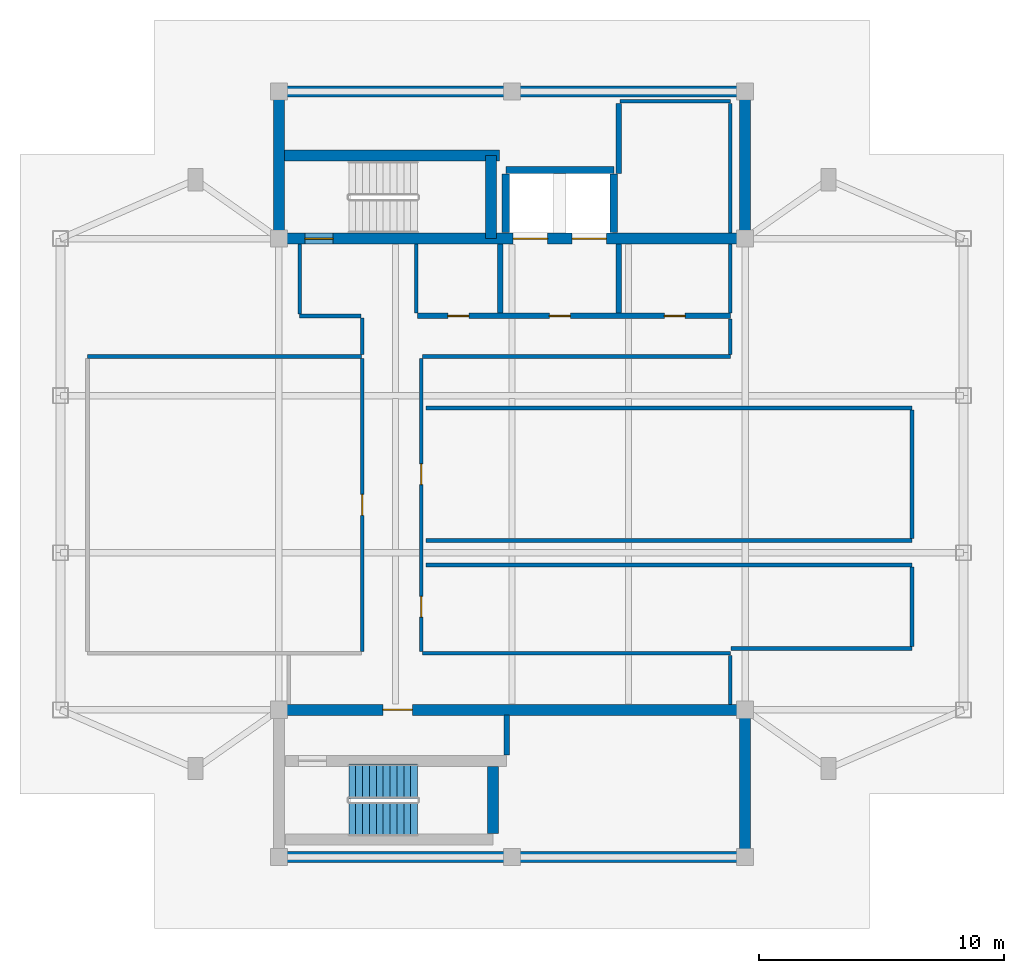
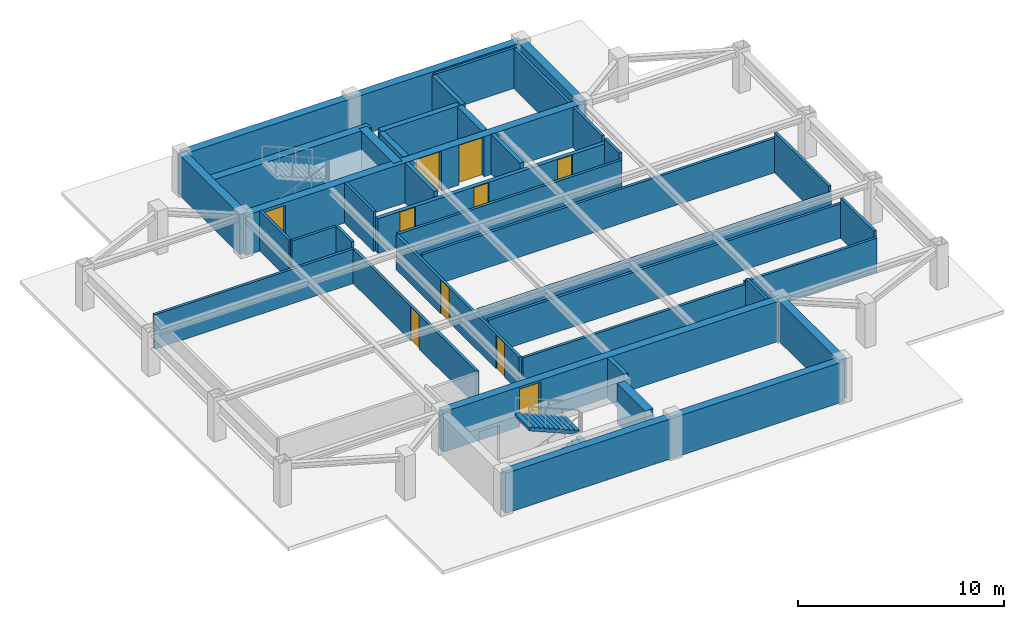
# One storey, part 2 of 4: 38 walls, 10 doors, 2 stair flights, 10 openings, 1 element without a shape of its own.
"""IFC4 building model written with IfcOpenShell, lengths in metres."""

from ifc_helpers import new_model, si_unit, direction, frame, frame_2d, origin, place, context, subcontext, project, spatial, polyline, rectangle, outline, extrude, material, layer, layer_set, type_object, element, fill, aggregate, save


model = new_model("IFC4")

# Units and contexts
model_context = context("Model", 3, precision=1e-05, world=origin(), true_north=direction((0.0, 1.0)))
body_context = subcontext(model_context, "Body", "Model", "MODEL_VIEW")
ifc_project = project(units=[si_unit("LENGTHUNIT", "METRE"), si_unit("AREAUNIT", "SQUARE_METRE"), si_unit("VOLUMEUNIT", "CUBIC_METRE"), si_unit("PLANEANGLEUNIT", "RADIAN"), si_unit("MASSUNIT", "GRAM", prefix="KILO")], contexts=[model_context])

# Site, building, storey
site_placement = place(None, origin())
site = spatial("IfcSite", under=ifc_project, at=site_placement, CompositionType="ELEMENT")
building_placement = place(site_placement, origin())
building = spatial("IfcBuilding", under=site, at=building_placement, Name="Mirazonda Arch Towers", CompositionType="ELEMENT")
storey_placement = place(building_placement, frame((0.0, 0.0, 271.300048828125)))
storey = spatial("IfcBuildingStorey", under=building, at=storey_placement, Name="L78", CompositionType="ELEMENT", Elevation=271.300048828125)

# Walls
ifc_material_1 = material(Name="Concrete C50/60", Category="concrete")
ifc_layer_1 = layer(ifc_material_1, 0.449951171875, Name="WALL-CORE-450")
ifc_layer_set_1 = layer_set([ifc_layer_1], Name="Concrete C50/60")
wall_type_1 = type_object("IfcWallType", Name="WALL-CORE-450", PredefinedType="SHEAR", material=ifc_layer_set_1)
wall_1_placement = place(storey_placement, frame((11.0, 43.60009765625, 0.0), z_axis=(0.0, 0.0, 1.0), x_axis=(1.0, 0.0, 0.0)))
element("IfcWall", 1, at=wall_1_placement, inside=storey, type_object=wall_type_1, Name="L78 T1N-N Core Shear Wall", PredefinedType="SHEAR", context=body_context, shape_type="SweptSolid", body=[
    extrude(rectangle(XDim=19.0, YDim=0.449951171875, at=frame_2d((9.5, 0.0))), origin(), (0.0, 0.0, 1.0), 2.3798828125),
])
for number, where, z_axis, x_axis, name in (
    (2, (11.0, 37.60009765625, 0.0), (0.0, 0.0, 1.0), (0.0, 1.0, 0.0), "L78 T1N-W Core Shear Wall"),
    (3, (30.0, 37.60009765625, 0.0), (0.0, 0.0, 1.0), (0.0, 1.0, 0.0), "L78 T1N-E Core Shear Wall"),
):
    element("IfcWall", number, at=place(storey_placement, frame(where, z_axis=z_axis, x_axis=x_axis)), inside=storey, type_object=wall_type_1, Name=name, PredefinedType="SHEAR", context=body_context, shape_type="SweptSolid", body=[
        extrude(rectangle(XDim=6.0, YDim=0.449951171875, at=frame_2d((3.0, 0.0))), origin(), (0.0, 0.0, 1.0), 2.3798828125),
    ])

# Wall, openings, doors
wall_2_placement = place(storey_placement, frame((11.0, 37.60009765625, 0.0), z_axis=(0.0, 0.0, 1.0), x_axis=(1.0, 0.0, 0.0)))
wall_2 = element("IfcWall", 4, at=wall_2_placement, inside=storey, type_object=wall_type_1, Name="L78 T1N-S Core Shear Wall", PredefinedType="SHEAR", context=body_context, shape_type="SweptSolid", body=[
    extrude(rectangle(XDim=19.0, YDim=0.449951171875, at=frame_2d((9.5, 0.0))), origin(), (0.0, 0.0, 1.0), 2.3798828125),
])
opening_1_placement = place(wall_2_placement, frame((1.06005859375, 0.0, 0.0)))
opening_1 = element("IfcOpeningElement", 5, at=opening_1_placement, cuts=wall_2, Name="Opening DR-135", PredefinedType="OPENING", context=body_context, shape_type="SweptSolid", body=[
    extrude(rectangle(XDim=1.14990234375, YDim=2.199951171875, at=frame_2d((0.574951171875, 1.10009765625))), frame((0.0, 0.23486328125, 0.0), z_axis=(0.0, -1.0, 0.0), x_axis=(1.0, 0.0, 0.0)), (0.0, 0.0, 1.0), 0.469970703125),
])
opening_2_placement = place(wall_2_placement, frame((9.550048828125, 0.0, 0.0)))
opening_2 = element("IfcOpeningElement", 6, at=opening_2_placement, cuts=wall_2, Name="Opening LD-112", PredefinedType="OPENING", context=body_context, shape_type="SweptSolid", body=[
    extrude(rectangle(XDim=1.39990234375, YDim=2.35009765625, at=frame_2d((0.699951171875, 1.175048828125))), frame((0.0, 0.23486328125, 0.0), z_axis=(0.0, -1.0, 0.0), x_axis=(1.0, 0.0, 0.0)), (0.0, 0.0, 1.0), 0.469970703125),
])
opening_3_placement = place(wall_2_placement, frame((11.949951171875, 0.0, 0.0)))
opening_3 = element("IfcOpeningElement", 7, at=opening_3_placement, cuts=wall_2, Name="Opening LD-112", PredefinedType="OPENING", context=body_context, shape_type="SweptSolid", body=[
    extrude(rectangle(XDim=1.39990234375, YDim=2.35009765625, at=frame_2d((0.699951171875, 1.175048828125))), frame((0.0, 0.23486328125, 0.0), z_axis=(0.0, -1.0, 0.0), x_axis=(1.0, 0.0, 0.0)), (0.0, 0.0, 1.0), 0.469970703125),
])
ifc_material_2 = material(Name="Architectural Brushed Steel S355", Category="steel")
door_type_1 = type_object("IfcDoorType", Name="DOOR-LIFT-FFL-1400", OperationType="NOTDEFINED", PredefinedType="DOOR", material=ifc_material_2)
door_1_placement = place(opening_2_placement, origin())
door_1 = element("IfcDoor", 8, at=door_1_placement, inside=storey, type_object=door_type_1, Name="L78 Lift Landing Sliding Door FFL-T1", OperationType="DOUBLE_DOOR_SLIDING", OverallHeight=2.35009765625, OverallWidth=1.39990234375, PredefinedType="DOOR", context=body_context, shape_type="SweptSolid", body=[
    extrude(rectangle(XDim=1.39990234375, YDim=2.35009765625, at=frame_2d((0.699951171875, 1.175048828125))), frame((0.0, 0.02490234375, 0.0), z_axis=(0.0, -1.0, 0.0), x_axis=(1.0, 0.0, 0.0)), (0.0, 0.0, 1.0), 0.050048828125),
])
fill(opening_2, door_1)
door_2_placement = place(opening_3_placement, origin())
door_2 = element("IfcDoor", 9, at=door_2_placement, inside=storey, type_object=door_type_1, Name="L78 Lift Landing Sliding Door SVL-T1", OperationType="DOUBLE_DOOR_SLIDING", OverallHeight=2.35009765625, OverallWidth=1.39990234375, PredefinedType="DOOR", context=body_context, shape_type="SweptSolid", body=[
    extrude(rectangle(XDim=1.39990234375, YDim=2.35009765625, at=frame_2d((0.699951171875, 1.175048828125))), frame((0.0, 0.02490234375, 0.0), z_axis=(0.0, -1.0, 0.0), x_axis=(1.0, 0.0, 0.0)), (0.0, 0.0, 1.0), 0.050048828125),
])
fill(opening_3, door_2)
door_type_2 = type_object("IfcDoorType", Name="DOOR-STAIR-FD90-1150", OperationType="NOTDEFINED", PredefinedType="DOOR", material=ifc_material_2)
door_3_placement = place(opening_1_placement, origin())
door_3 = element("IfcDoor", 10, at=door_3_placement, inside=storey, type_object=door_type_2, Name="L78 Protected Exit Stair North Door", OperationType="SINGLE_SWING_LEFT", OverallHeight=2.199951171875, OverallWidth=1.14990234375, PredefinedType="DOOR", context=body_context, shape_type="SweptSolid", body=[
    extrude(rectangle(XDim=1.14990234375, YDim=2.199951171875, at=frame_2d((0.574951171875, 1.10009765625))), frame((0.0, 0.02490234375, 0.0), z_axis=(0.0, -1.0, 0.0), x_axis=(1.0, 0.0, 0.0)), (0.0, 0.0, 1.0), 0.050048828125),
])
fill(opening_1, door_3)

# Walls
wall_3_placement = place(storey_placement, frame((11.0, 40.992919921875, 0.0), z_axis=(0.0, 0.0, 1.0), x_axis=(1.0, 0.0, 0.0)))
element("IfcWall", 11, at=wall_3_placement, inside=storey, type_object=wall_type_1, Name="L78 T1N-STN Core Shear Wall", PredefinedType="SHEAR", context=body_context, shape_type="SweptSolid", body=[
    extrude(rectangle(XDim=9.0, YDim=0.449951171875, at=frame_2d((4.5, 0.0))), origin(), (0.0, 0.0, 1.0), 2.3798828125),
])
wall_4_placement = place(storey_placement, frame((19.64990234375, 37.60009765625, 0.0), z_axis=(0.0, 0.0, 1.0), x_axis=(0.0, 1.0, 0.0)))
element("IfcWall", 12, at=wall_4_placement, inside=storey, type_object=wall_type_1, Name="L78 T1N-STE Core Shear Wall", PredefinedType="SHEAR", context=body_context, shape_type="SweptSolid", body=[
    extrude(rectangle(XDim=3.392822265625, YDim=0.449951171875, at=frame_2d((1.6962890625, 0.0))), origin(), (0.0, 0.0, 1.0), 2.3798828125),
])
wall_5_placement = place(storey_placement, frame((11.0, 12.39990234375, 0.0), z_axis=(0.0, 0.0, 1.0), x_axis=(1.0, 0.0, 0.0)))
element("IfcWall", 13, at=wall_5_placement, inside=storey, type_object=wall_type_1, Name="L78 T1S-S Core Shear Wall", PredefinedType="SHEAR", context=body_context, shape_type="SweptSolid", body=[
    extrude(rectangle(XDim=19.0, YDim=0.449951171875, at=frame_2d((9.5, 0.0))), origin(), (0.0, 0.0, 1.0), 2.3798828125),
])
wall_6_placement = place(storey_placement, frame((30.0, 12.39990234375, 0.0), z_axis=(0.0, 0.0, 1.0), x_axis=(0.0, 1.0, 0.0)))
element("IfcWall", 14, at=wall_6_placement, inside=storey, type_object=wall_type_1, Name="L78 T1S-E Core Shear Wall", PredefinedType="SHEAR", context=body_context, shape_type="SweptSolid", body=[
    extrude(rectangle(XDim=6.0, YDim=0.449951171875, at=frame_2d((3.0, 0.0))), origin(), (0.0, 0.0, 1.0), 2.3798828125),
])

# Wall, opening, door
wall_7_placement = place(storey_placement, frame((11.0, 18.39990234375, 0.0), z_axis=(0.0, 0.0, 1.0), x_axis=(1.0, 0.0, 0.0)))
wall_7 = element("IfcWall", 15, at=wall_7_placement, inside=storey, type_object=wall_type_1, Name="L78 T1S-N Core Shear Wall", PredefinedType="SHEAR", context=body_context, shape_type="SweptSolid", body=[
    extrude(rectangle(XDim=19.0, YDim=0.449951171875, at=frame_2d((9.5, 0.0))), origin(), (0.0, 0.0, 1.0), 2.3798828125),
])
opening_4_placement = place(wall_7_placement, frame((4.239990234375, 0.0, 0.0)))
opening_4 = element("IfcOpeningElement", 16, at=opening_4_placement, cuts=wall_7, Name="Opening DR-117", PredefinedType="OPENING", context=body_context, shape_type="SweptSolid", body=[
    extrude(rectangle(XDim=1.199951171875, YDim=2.25, at=frame_2d((0.60009765625, 1.125))), frame((0.0, 0.23486328125, 0.0), z_axis=(0.0, -1.0, 0.0), x_axis=(1.0, 0.0, 0.0)), (0.0, 0.0, 1.0), 0.469970703125),
])
door_type_3 = type_object("IfcDoorType", Name="DOOR-FFL-FD90-1200", OperationType="NOTDEFINED", PredefinedType="DOOR", material=ifc_material_2)
door_4_placement = place(opening_4_placement, origin())
door_4 = element("IfcDoor", 17, at=door_4_placement, inside=storey, type_object=door_type_3, Name="L78 South Core Stair & Lift Lobby Door", OperationType="SINGLE_SWING_LEFT", OverallHeight=2.25, OverallWidth=1.199951171875, PredefinedType="DOOR", context=body_context, shape_type="SweptSolid", body=[
    extrude(rectangle(XDim=1.199951171875, YDim=2.25, at=frame_2d((0.60009765625, 1.125))), frame((0.0, 0.02490234375, 0.0), z_axis=(0.0, -1.0, 0.0), x_axis=(1.0, 0.0, 0.0)), (0.0, 0.0, 1.0), 0.050048828125),
])
fill(opening_4, door_4)

# Wall
wall_8_placement = place(storey_placement, frame((19.72998046875, 13.35498046875, 0.0), z_axis=(0.0, 0.0, 1.0), x_axis=(0.0, 1.0, 0.0)))
element("IfcWall", 18, at=wall_8_placement, inside=storey, type_object=wall_type_1, Name="L78 Stair Core Shear Wall 022", PredefinedType="SHEAR", context=body_context, shape_type="SweptSolid", body=[
    extrude(rectangle(XDim=2.72998046875, YDim=0.449951171875, at=frame_2d((1.364990234375, 0.0))), origin(), (0.0, 0.0, 1.0), 2.3798828125),
])

# Wall, openings, doors
ifc_material_3 = material(Name="Concrete C40/50", Category="concrete")
ifc_layer_2 = layer(ifc_material_3, 0.219970703125, Name="WALL-FFL-220")
ifc_layer_set_2 = layer_set([ifc_layer_2], Name="Concrete C40/50")
wall_type_2 = type_object("IfcWallType", Name="WALL-FFL-220", PredefinedType="SOLIDWALL", material=ifc_layer_set_2)
wall_9_placement = place(storey_placement, frame((16.639892578125, 34.449951171875, 0.0), z_axis=(0.0, 0.0, 1.0), x_axis=(1.0, 0.0, 0.0)))
wall_9 = element("IfcWall", 19, at=wall_9_placement, inside=storey, type_object=wall_type_2, Name="L78 Interior Partition 012", PredefinedType="SOLIDWALL", context=body_context, shape_type="SweptSolid", body=[
    extrude(rectangle(XDim=12.760009765625, YDim=0.219970703125, at=frame_2d((6.3798828125, 0.0))), origin(), (0.0, 0.0, 1.0), 2.0419921875),
])
opening_5_placement = place(wall_9_placement, frame((5.385009765625, 0.0, 0.0)))
opening_5 = element("IfcOpeningElement", 20, at=opening_5_placement, cuts=wall_9, Name="Opening DR-128", PredefinedType="OPENING", context=body_context, shape_type="SweptSolid", body=[
    extrude(rectangle(XDim=0.85009765625, YDim=2.010009765625, at=frame_2d((0.425048828125, 1.0048828125))), frame((0.0, 0.119873046875, 0.0), z_axis=(0.0, -1.0, 0.0), x_axis=(1.0, 0.0, 0.0)), (0.0, 0.0, 1.0), 0.239990234375),
])
opening_6_placement = place(wall_9_placement, frame((10.06494140625, 0.0, 0.0)))
opening_6 = element("IfcOpeningElement", 21, at=opening_6_placement, cuts=wall_9, Name="Opening DR-128", PredefinedType="OPENING", context=body_context, shape_type="SweptSolid", body=[
    extrude(rectangle(XDim=0.85009765625, YDim=2.010009765625, at=frame_2d((0.425048828125, 1.0048828125))), frame((0.0, 0.119873046875, 0.0), z_axis=(0.0, -1.0, 0.0), x_axis=(1.0, 0.0, 0.0)), (0.0, 0.0, 1.0), 0.239990234375),
])
opening_7_placement = place(wall_9_placement, frame((1.25, 0.0, 0.0)))
opening_7 = element("IfcOpeningElement", 22, at=opening_7_placement, cuts=wall_9, Name="Opening DR-128", PredefinedType="OPENING", context=body_context, shape_type="SweptSolid", body=[
    extrude(rectangle(XDim=0.85009765625, YDim=2.010009765625, at=frame_2d((0.425048828125, 1.0048828125))), frame((0.0, 0.119873046875, 0.0), z_axis=(0.0, -1.0, 0.0), x_axis=(1.0, 0.0, 0.0)), (0.0, 0.0, 1.0), 0.239990234375),
])
door_type_4 = type_object("IfcDoorType", Name="DOOR-RISER-FD60-850", OperationType="NOTDEFINED", PredefinedType="DOOR", material=ifc_material_2)
door_5_placement = place(opening_5_placement, origin())
door_5 = element("IfcDoor", 23, at=door_5_placement, inside=storey, type_object=door_type_4, Name="L78 Firefighting Lift Lobby Door", OperationType="SINGLE_SWING_RIGHT", OverallHeight=2.010009765625, OverallWidth=0.85009765625, PredefinedType="DOOR", context=body_context, shape_type="SweptSolid", body=[
    extrude(rectangle(XDim=0.85009765625, YDim=2.010009765625, at=frame_2d((0.425048828125, 1.0048828125))), frame((0.0, 0.02490234375, 0.0), z_axis=(0.0, -1.0, 0.0), x_axis=(1.0, 0.0, 0.0)), (0.0, 0.0, 1.0), 0.050048828125),
])
fill(opening_5, door_5)
door_6_placement = place(opening_6_placement, origin())
door_6 = element("IfcDoor", 24, at=door_6_placement, inside=storey, type_object=door_type_4, Name="L78 Mechanical Exhaust & Riser Plant Room Door", OperationType="SINGLE_SWING_LEFT", OverallHeight=2.010009765625, OverallWidth=0.85009765625, PredefinedType="DOOR", context=body_context, shape_type="SweptSolid", body=[
    extrude(rectangle(XDim=0.85009765625, YDim=2.010009765625, at=frame_2d((0.425048828125, 1.0048828125))), frame((0.0, 0.02490234375, 0.0), z_axis=(0.0, -1.0, 0.0), x_axis=(1.0, 0.0, 0.0)), (0.0, 0.0, 1.0), 0.050048828125),
])
fill(opening_6, door_6)
door_7_placement = place(opening_7_placement, origin())
door_7 = element("IfcDoor", 25, at=door_7_placement, inside=storey, type_object=door_type_4, Name="L78 Electrical & Housekeeping Service Room Door", OperationType="SINGLE_SWING_RIGHT", OverallHeight=2.010009765625, OverallWidth=0.85009765625, PredefinedType="DOOR", context=body_context, shape_type="SweptSolid", body=[
    extrude(rectangle(XDim=0.85009765625, YDim=2.010009765625, at=frame_2d((0.425048828125, 1.0048828125))), frame((0.0, 0.02490234375, 0.0), z_axis=(0.0, -1.0, 0.0), x_axis=(1.0, 0.0, 0.0)), (0.0, 0.0, 1.0), 0.050048828125),
])
fill(opening_7, door_7)

# Walls
wall_10_placement = place(storey_placement, frame((20.02490234375, 34.570068359375, 0.0), z_axis=(0.0, 0.0, 1.0), x_axis=(0.0, 1.0, 0.0)))
element("IfcWall", 26, at=wall_10_placement, inside=storey, type_object=wall_type_2, Name="L78 Interior Partition 023", PredefinedType="SOLIDWALL", context=body_context, shape_type="SweptSolid", body=[
    extrude(rectangle(XDim=2.809814453125, YDim=0.219970703125, at=frame_2d((1.40478515625, 0.0))), origin(), (0.0, 0.0, 1.0), 2.3798828125),
])
wall_11_placement = place(storey_placement, frame((20.280029296875, 16.554931640625, 0.0), z_axis=(0.0, 0.0, 1.0), x_axis=(0.0, 1.0, 0.0)))
element("IfcWall", 27, at=wall_11_placement, inside=storey, type_object=wall_type_2, Name="L78 Interior Partition 024", PredefinedType="SOLIDWALL", context=body_context, shape_type="SweptSolid", body=[
    extrude(rectangle(XDim=1.625, YDim=0.219970703125, at=frame_2d((0.8125, 0.0))), origin(), (0.0, 0.0, 1.0), 2.3798828125),
])
wall_12_placement = place(storey_placement, frame((24.85009765625, 34.570068359375, 0.0), z_axis=(0.0, 0.0, 1.0), x_axis=(0.0, 1.0, 0.0)))
element("IfcWall", 28, at=wall_12_placement, inside=storey, type_object=wall_type_2, Name="L78 Interior Partition 027", PredefinedType="SOLIDWALL", context=body_context, shape_type="SweptSolid", body=[
    extrude(rectangle(XDim=2.809814453125, YDim=0.219970703125, at=frame_2d((1.40478515625, 0.0))), origin(), (0.0, 0.0, 1.0), 2.3798828125),
])
wall_13_placement = place(storey_placement, frame((24.85009765625, 40.260009765625, 0.0), z_axis=(0.0, 0.0, 1.0), x_axis=(0.0, 1.0, 0.0)))
element("IfcWall", 29, at=wall_13_placement, inside=storey, type_object=wall_type_2, Name="L78 Interior Partition 028", PredefinedType="SOLIDWALL", context=body_context, shape_type="SweptSolid", body=[
    extrude(rectangle(XDim=2.85498046875, YDim=0.219970703125, at=frame_2d((1.427490234375, 0.0))), origin(), (0.0, 0.0, 1.0), 2.3798828125),
])
ifc_material_4 = material(Name="Fire-Rated Gypsum Stud Partition")
ifc_layer_3 = layer(ifc_material_4, 0.14990234375, Name="WALL-PART-CORR-150")
ifc_layer_set_3 = layer_set([ifc_layer_3], Name="Fire-Rated Gypsum Stud Partition")
wall_type_3 = type_object("IfcWallType", Name="WALL-PART-CORR-150", PredefinedType="PARTITIONING", material=ifc_layer_set_3)
wall_14_placement = place(storey_placement, frame((16.85009765625, 20.699951171875, 0.0), z_axis=(0.0, 0.0, 1.0), x_axis=(1.0, 0.0, 0.0)))
element("IfcWall", 30, at=wall_14_placement, inside=storey, type_object=wall_type_3, Name="L78 Interior Partition 004", PredefinedType="PARTITIONING", context=body_context, shape_type="SweptSolid", body=[
    extrude(rectangle(XDim=12.5498046875, YDim=0.14990234375, at=frame_2d((6.27490234375, 0.0))), origin(), (0.0, 0.0, 1.0), 2.0419921875),
])
wall_15_placement = place(storey_placement, frame((29.419921875, 20.89990234375, 0.0), z_axis=(0.0, 0.0, 1.0), x_axis=(1.0, 0.0, 0.0)))
element("IfcWall", 31, at=wall_15_placement, inside=storey, type_object=wall_type_3, Name="L78 Interior Partition 005", PredefinedType="PARTITIONING", context=body_context, shape_type="SweptSolid", body=[
    extrude(rectangle(XDim=7.380126953125, YDim=0.14990234375, at=frame_2d((3.68994140625, 0.0))), origin(), (0.0, 0.0, 1.0), 2.0419921875),
])
for number, where, z_axis, x_axis, name in (
    (32, (17.0, 24.300048828125, 0.0), (0.0, 0.0, 1.0), (1.0, 0.0, 0.0), "L78 Interior Partition 006"),
    (33, (17.0, 25.300048828125, 0.0), (0.0, 0.0, 1.0), (1.0, 0.0, 0.0), "L78 Interior Partition 007"),
    (34, (17.0, 30.699951171875, 0.0), (0.0, 0.0, 1.0), (1.0, 0.0, 0.0), "L78 Interior Partition 008"),
):
    element("IfcWall", number, at=place(storey_placement, frame(where, z_axis=z_axis, x_axis=x_axis)), inside=storey, type_object=wall_type_3, Name=name, PredefinedType="PARTITIONING", context=body_context, shape_type="SweptSolid", body=[
        extrude(rectangle(XDim=19.800048828125, YDim=0.14990234375, at=frame_2d((9.89990234375, 0.0))), origin(), (0.0, 0.0, 1.0), 2.0419921875),
    ])
wall_16_placement = place(storey_placement, frame((3.199951171875, 32.800048828125, 0.0), z_axis=(0.0, 0.0, 1.0), x_axis=(1.0, 0.0, 0.0)))
element("IfcWall", 35, at=wall_16_placement, inside=storey, type_object=wall_type_3, Name="L78 Interior Partition 009", PredefinedType="PARTITIONING", context=body_context, shape_type="SweptSolid", body=[
    extrude(rectangle(XDim=11.16015625, YDim=0.14990234375, at=frame_2d((5.580078125, 0.0))), origin(), (0.0, 0.0, 1.0), 2.0419921875),
])
wall_17_placement = place(storey_placement, frame((16.85009765625, 32.800048828125, 0.0), z_axis=(0.0, 0.0, 1.0), x_axis=(1.0, 0.0, 0.0)))
element("IfcWall", 36, at=wall_17_placement, inside=storey, type_object=wall_type_3, Name="L78 Interior Partition 010", PredefinedType="PARTITIONING", context=body_context, shape_type="SweptSolid", body=[
    extrude(rectangle(XDim=12.5498046875, YDim=0.14990234375, at=frame_2d((6.27490234375, 0.0))), origin(), (0.0, 0.0, 1.0), 2.0419921875),
])
wall_18_placement = place(storey_placement, frame((11.85009765625, 34.449951171875, 0.0), z_axis=(0.0, 0.0, 1.0), x_axis=(1.0, 0.0, 0.0)))
element("IfcWall", 37, at=wall_18_placement, inside=storey, type_object=wall_type_3, Name="L78 Interior Partition 011", PredefinedType="PARTITIONING", context=body_context, shape_type="SweptSolid", body=[
    extrude(rectangle(XDim=2.5, YDim=0.14990234375, at=frame_2d((1.25, 0.0))), origin(), (0.0, 0.0, 1.0), 2.3798828125),
])
wall_19_placement = place(storey_placement, frame((24.89990234375, 43.199951171875, 0.0), z_axis=(0.0, 0.0, 1.0), x_axis=(1.0, 0.0, 0.0)))
element("IfcWall", 38, at=wall_19_placement, inside=storey, type_object=wall_type_3, Name="L78 Interior Partition 014", PredefinedType="PARTITIONING", context=body_context, shape_type="SweptSolid", body=[
    extrude(rectangle(XDim=4.5, YDim=0.14990234375, at=frame_2d((2.25, 0.0))), origin(), (0.0, 0.0, 1.0), 2.3798828125),
])
wall_20_placement = place(storey_placement, frame((11.85009765625, 34.534912109375, 0.0), z_axis=(0.0, 0.0, 1.0), x_axis=(0.0, 1.0, 0.0)))
element("IfcWall", 39, at=wall_20_placement, inside=storey, type_object=wall_type_3, Name="L78 Interior Partition 017", PredefinedType="PARTITIONING", context=body_context, shape_type="SweptSolid", body=[
    extrude(rectangle(XDim=2.844970703125, YDim=0.14990234375, at=frame_2d((1.42236328125, 0.0))), origin(), (0.0, 0.0, 1.0), 2.3798828125),
])

# Wall, opening, door
wall_21_placement = place(storey_placement, frame((14.39990234375, 20.784912109375, 0.0), z_axis=(0.0, 0.0, 1.0), x_axis=(0.0, 1.0, 0.0)))
wall_21 = element("IfcWall", 40, at=wall_21_placement, inside=storey, type_object=wall_type_3, Name="L78 Interior Partition 018", PredefinedType="PARTITIONING", context=body_context, shape_type="SweptSolid", body=[
    extrude(rectangle(XDim=11.93017578125, YDim=0.14990234375, at=frame_2d((5.965087890625, 0.0))), origin(), (0.0, 0.0, 1.0), 2.0419921875),
])
opening_8_placement = place(wall_21_placement, frame((5.5400390625, 0.0, 0.0)))
opening_8 = element("IfcOpeningElement", 41, at=opening_8_placement, cuts=wall_21, Name="Opening DR-128", PredefinedType="OPENING", context=body_context, shape_type="SweptSolid", body=[
    extrude(rectangle(XDim=0.85009765625, YDim=2.010009765625, at=frame_2d((0.425048828125, 1.0048828125))), frame((0.0, 0.0849609375, 0.0), z_axis=(0.0, -1.0, 0.0), x_axis=(1.0, 0.0, 0.0)), (0.0, 0.0, 1.0), 0.169921875),
])
door_8_placement = place(opening_8_placement, origin())
door_8 = element("IfcDoor", 42, at=door_8_placement, inside=storey, type_object=door_type_4, Name="L78 L78 West Crown Mechanical Plant Plenum Door", OperationType="SINGLE_SWING_LEFT", OverallHeight=2.010009765625, OverallWidth=0.85009765625, PredefinedType="DOOR", context=body_context, shape_type="SweptSolid", body=[
    extrude(rectangle(XDim=0.85009765625, YDim=2.010009765625, at=frame_2d((0.425048828125, 1.0048828125))), frame((0.0, 0.02490234375, 0.0), z_axis=(0.0, -1.0, 0.0), x_axis=(1.0, 0.0, 0.0)), (0.0, 0.0, 1.0), 0.050048828125),
])
fill(opening_8, door_8)

# Walls
wall_22_placement = place(storey_placement, frame((14.39990234375, 32.885009765625, 0.0), z_axis=(0.0, 0.0, 1.0), x_axis=(0.0, 1.0, 0.0)))
element("IfcWall", 43, at=wall_22_placement, inside=storey, type_object=wall_type_3, Name="L78 Interior Partition 019", PredefinedType="PARTITIONING", context=body_context, shape_type="SweptSolid", body=[
    extrude(rectangle(XDim=1.47998046875, YDim=0.14990234375, at=frame_2d((0.739990234375, 0.0))), origin(), (0.0, 0.0, 1.0), 2.3798828125),
])
wall_23_placement = place(storey_placement, frame((16.60009765625, 34.570068359375, 0.0), z_axis=(0.0, 0.0, 1.0), x_axis=(0.0, 1.0, 0.0)))
element("IfcWall", 44, at=wall_23_placement, inside=storey, type_object=wall_type_3, Name="L78 Interior Partition 020", PredefinedType="PARTITIONING", context=body_context, shape_type="SweptSolid", body=[
    extrude(rectangle(XDim=2.809814453125, YDim=0.14990234375, at=frame_2d((1.40478515625, 0.0))), origin(), (0.0, 0.0, 1.0), 2.3798828125),
])

# Wall, openings, doors
wall_24_placement = place(storey_placement, frame((16.800048828125, 20.784912109375, 0.0), z_axis=(0.0, 0.0, 1.0), x_axis=(0.0, 1.0, 0.0)))
wall_24 = element("IfcWall", 45, at=wall_24_placement, inside=storey, type_object=wall_type_3, Name="L78 Interior Partition 021", PredefinedType="PARTITIONING", context=body_context, shape_type="SweptSolid", body=[
    extrude(rectangle(XDim=11.93017578125, YDim=0.14990234375, at=frame_2d((5.965087890625, 0.0))), origin(), (0.0, 0.0, 1.0), 2.0419921875),
])
opening_9_placement = place(wall_24_placement, frame((6.7900390625, 0.0, 0.0)))
opening_9 = element("IfcOpeningElement", 46, at=opening_9_placement, cuts=wall_24, Name="Opening DR-128", PredefinedType="OPENING", context=body_context, shape_type="SweptSolid", body=[
    extrude(rectangle(XDim=0.85009765625, YDim=2.010009765625, at=frame_2d((0.425048828125, 1.0048828125))), frame((0.0, 0.0849609375, 0.0), z_axis=(0.0, -1.0, 0.0), x_axis=(1.0, 0.0, 0.0)), (0.0, 0.0, 1.0), 0.169921875),
])
opening_10_placement = place(wall_24_placement, frame((1.389892578125, 0.0, 0.0)))
opening_10 = element("IfcOpeningElement", 47, at=opening_10_placement, cuts=wall_24, Name="Opening DR-128", PredefinedType="OPENING", context=body_context, shape_type="SweptSolid", body=[
    extrude(rectangle(XDim=0.85009765625, YDim=2.010009765625, at=frame_2d((0.425048828125, 1.0048828125))), frame((0.0, 0.0849609375, 0.0), z_axis=(0.0, -1.0, 0.0), x_axis=(1.0, 0.0, 0.0)), (0.0, 0.0, 1.0), 0.169921875),
])
door_9_placement = place(opening_9_placement, origin())
door_9 = element("IfcDoor", 48, at=door_9_placement, inside=storey, type_object=door_type_4, Name="L78 L78 Emergency Standby Power Switchgear Plant Door", OperationType="SINGLE_SWING_LEFT", OverallHeight=2.010009765625, OverallWidth=0.85009765625, PredefinedType="DOOR", context=body_context, shape_type="SweptSolid", body=[
    extrude(rectangle(XDim=0.85009765625, YDim=2.010009765625, at=frame_2d((0.425048828125, 1.0048828125))), frame((0.0, 0.02490234375, 0.0), z_axis=(0.0, -1.0, 0.0), x_axis=(1.0, 0.0, 0.0)), (0.0, 0.0, 1.0), 0.050048828125),
])
fill(opening_9, door_9)
door_10_placement = place(opening_10_placement, origin())
door_10 = element("IfcDoor", 49, at=door_10_placement, inside=storey, type_object=door_type_4, Name="L78 L78 Fire-Protection Reserve Tank Plant Room Door", OperationType="SINGLE_SWING_RIGHT", OverallHeight=2.010009765625, OverallWidth=0.85009765625, PredefinedType="DOOR", context=body_context, shape_type="SweptSolid", body=[
    extrude(rectangle(XDim=0.85009765625, YDim=2.010009765625, at=frame_2d((0.425048828125, 1.0048828125))), frame((0.0, 0.02490234375, 0.0), z_axis=(0.0, -1.0, 0.0), x_axis=(1.0, 0.0, 0.0)), (0.0, 0.0, 1.0), 0.050048828125),
])
fill(opening_10, door_10)

# Walls
wall_25_placement = place(storey_placement, frame((29.39990234375, 18.6201171875, 0.0), z_axis=(0.0, 0.0, 1.0), x_axis=(0.0, 1.0, 0.0)))
element("IfcWall", 50, at=wall_25_placement, inside=storey, type_object=wall_type_3, Name="L78 Interior Partition 029", PredefinedType="PARTITIONING", context=body_context, shape_type="SweptSolid", body=[
    extrude(rectangle(XDim=1.994873046875, YDim=0.14990234375, at=frame_2d((0.99755859375, 0.0))), origin(), (0.0, 0.0, 1.0), 2.3798828125),
])
wall_26_placement = place(storey_placement, frame((29.39990234375, 32.885009765625, 0.0), z_axis=(0.0, 0.0, 1.0), x_axis=(0.0, 1.0, 0.0)))
element("IfcWall", 51, at=wall_26_placement, inside=storey, type_object=wall_type_3, Name="L78 Interior Partition 030", PredefinedType="PARTITIONING", context=body_context, shape_type="SweptSolid", body=[
    extrude(rectangle(XDim=1.445068359375, YDim=0.14990234375, at=frame_2d((0.72265625, 0.0))), origin(), (0.0, 0.0, 1.0), 2.3798828125),
])
wall_27_placement = place(storey_placement, frame((29.39990234375, 34.570068359375, 0.0), z_axis=(0.0, 0.0, 1.0), x_axis=(0.0, 1.0, 0.0)))
element("IfcWall", 52, at=wall_27_placement, inside=storey, type_object=wall_type_3, Name="L78 Interior Partition 031", PredefinedType="PARTITIONING", context=body_context, shape_type="SweptSolid", body=[
    extrude(rectangle(XDim=2.809814453125, YDim=0.14990234375, at=frame_2d((1.40478515625, 0.0))), origin(), (0.0, 0.0, 1.0), 2.3798828125),
])
wall_28_placement = place(storey_placement, frame((29.39990234375, 37.820068359375, 0.0), z_axis=(0.0, 0.0, 1.0), x_axis=(0.0, 1.0, 0.0)))
element("IfcWall", 53, at=wall_28_placement, inside=storey, type_object=wall_type_3, Name="L78 Interior Partition 032", PredefinedType="PARTITIONING", context=body_context, shape_type="SweptSolid", body=[
    extrude(rectangle(XDim=5.294921875, YDim=0.14990234375, at=frame_2d((2.6474609375, 0.0))), origin(), (0.0, 0.0, 1.0), 2.3798828125),
])
wall_29_placement = place(storey_placement, frame((36.800048828125, 20.985107421875, 0.0), z_axis=(0.0, 0.0, 1.0), x_axis=(0.0, 1.0, 0.0)))
element("IfcWall", 54, at=wall_29_placement, inside=storey, type_object=wall_type_3, Name="L78 Interior Partition 033", PredefinedType="PARTITIONING", context=body_context, shape_type="SweptSolid", body=[
    extrude(rectangle(XDim=3.22998046875, YDim=0.14990234375, at=frame_2d((1.614990234375, 0.0))), origin(), (0.0, 0.0, 1.0), 2.3798828125),
])
wall_30_placement = place(storey_placement, frame((36.800048828125, 25.385009765625, 0.0), z_axis=(0.0, 0.0, 1.0), x_axis=(0.0, 1.0, 0.0)))
element("IfcWall", 55, at=wall_30_placement, inside=storey, type_object=wall_type_3, Name="L78 Interior Partition 034", PredefinedType="PARTITIONING", context=body_context, shape_type="SweptSolid", body=[
    extrude(rectangle(XDim=5.22998046875, YDim=0.14990234375, at=frame_2d((2.614990234375, 0.0))), origin(), (0.0, 0.0, 1.0), 2.3798828125),
])
ifc_layer_4 = layer(ifc_material_1, 0.300048828125, Name="WALL-SHAFT-300")
ifc_layer_set_4 = layer_set([ifc_layer_4], Name="Concrete C50/60")
wall_type_4 = type_object("IfcWallType", Name="WALL-SHAFT-300", PredefinedType="SOLIDWALL", material=ifc_layer_set_4)
wall_31_placement = place(storey_placement, frame((20.25, 40.39990234375, 0.0), z_axis=(0.0, 0.0, 1.0), x_axis=(1.0, 0.0, 0.0)))
element("IfcWall", 56, at=wall_31_placement, inside=storey, type_object=wall_type_4, Name="L78 Interior Partition 013", PredefinedType="SOLIDWALL", context=body_context, shape_type="SweptSolid", body=[
    extrude(rectangle(XDim=4.39990234375, YDim=0.300048828125, at=frame_2d((2.199951171875, 0.0))), origin(), (0.0, 0.0, 1.0), 2.3798828125),
])
for number, where, z_axis, x_axis, name in (
    (57, (20.25, 37.85009765625, 0.0), (0.0, 0.0, 1.0), (0.0, 1.0, 0.0), "L78 Interior Partition 025"),
    (58, (24.64990234375, 37.85009765625, 0.0), (0.0, 0.0, 1.0), (0.0, 1.0, 0.0), "L78 Interior Partition 026"),
):
    element("IfcWall", number, at=place(storey_placement, frame(where, z_axis=z_axis, x_axis=x_axis)), inside=storey, type_object=wall_type_4, Name=name, PredefinedType="SOLIDWALL", context=body_context, shape_type="SweptSolid", body=[
        extrude(rectangle(XDim=2.389892578125, YDim=0.300048828125, at=frame_2d((1.19482421875, 0.0))), origin(), (0.0, 0.0, 1.0), 2.3798828125),
    ])

# Stair, stair flights
stair_type = type_object("IfcStairType", Name="STAIR-CORE-1400", PredefinedType="HALF_TURN_STAIR", material=ifc_material_3)
stair_placement = place(storey_placement, origin())
stair = element("IfcStair", 59, at=stair_placement, inside=storey, type_object=stair_type, Name="L78 Protected Exit Stair ST-T1S", PredefinedType="HALF_TURN_STAIR")
stair_flight_type = type_object("IfcStairFlightType", Name="FLIGHT-1400", PredefinedType="STRAIGHT", material=ifc_material_3)
stair_flight_1_placement = place(storey_placement, frame((13.85009765625, 13.949951171875, 0.0), z_axis=(0.0, 0.0, 1.0), x_axis=(1.0, 0.0, 0.0)))
stair_flight_1 = element("IfcStairFlight", 60, at=stair_flight_1_placement, type_object=stair_flight_type, Name="ST-T1S flight 1", NumberOfRisers=11, NumberOfTreads=10, PredefinedType="STRAIGHT", RiserHeight=0.118181818, TreadLength=0.28, context=body_context, shape_type="SweptSolid", body=[
    extrude(outline(polyline([(0.0, 0.0), (0.0, 0.1181640625), (0.280029296875, 0.1181640625), (0.280029296875, 0.236328125), (0.56005859375, 0.236328125), (0.56005859375, 0.3544921875), (0.840087890625, 0.3544921875), (0.840087890625, 0.47265625), (1.1201171875, 0.47265625), (1.1201171875, 0.5908203125), (1.39990234375, 0.5908203125), (1.39990234375, 0.708984375), (1.679931640625, 0.708984375), (1.679931640625, 0.827392578125), (1.9599609375, 0.827392578125), (1.9599609375, 0.945556640625), (2.239990234375, 0.945556640625), (2.239990234375, 1.063720703125), (2.52001953125, 1.063720703125), (2.52001953125, 1.181884765625), (2.800048828125, 1.181884765625), (2.800048828125, 1.300048828125), (2.800048828125, 1.00830078125), (0.4111328125, 0.0), (0.0, 0.0)])), frame((0.0, 0.699951171875, 0.0), z_axis=(0.0, -1.0, 0.0), x_axis=(1.0, 0.0, 0.0)), (0.0, 0.0, 1.0), 1.39990234375),
])
stair_flight_2_placement = place(storey_placement, frame((16.64990234375, 15.489990234375, 1.300048828125), z_axis=(0.0, 0.0, 1.0), x_axis=(-1.0, 0.0, 0.0)))
stair_flight_2 = element("IfcStairFlight", 61, at=stair_flight_2_placement, type_object=stair_flight_type, Name="ST-T1S flight 2", NumberOfRisers=11, NumberOfTreads=10, PredefinedType="STRAIGHT", RiserHeight=0.118181818, TreadLength=0.28, context=body_context, shape_type="SweptSolid", body=[
    extrude(outline(polyline([(0.0, 0.0), (0.0, 0.1181640625), (0.280029296875, 0.1181640625), (0.280029296875, 0.236328125), (0.56005859375, 0.236328125), (0.56005859375, 0.3544921875), (0.840087890625, 0.3544921875), (0.840087890625, 0.47265625), (1.1201171875, 0.47265625), (1.1201171875, 0.5908203125), (1.39990234375, 0.5908203125), (1.39990234375, 0.708984375), (1.679931640625, 0.708984375), (1.679931640625, 0.827392578125), (1.9599609375, 0.827392578125), (1.9599609375, 0.945556640625), (2.239990234375, 0.945556640625), (2.239990234375, 1.063720703125), (2.52001953125, 1.063720703125), (2.52001953125, 1.181884765625), (2.800048828125, 1.181884765625), (2.800048828125, 1.300048828125), (2.800048828125, 1.00830078125), (0.4111328125, 0.0), (0.0, 0.0)])), frame((0.0, 0.699951171875, 0.0), z_axis=(0.0, -1.0, 0.0), x_axis=(1.0, 0.0, 0.0)), (0.0, 0.0, 1.0), 1.39990234375),
])
aggregate(stair, [stair_flight_1, stair_flight_2])

save(model, "model.ifc")
